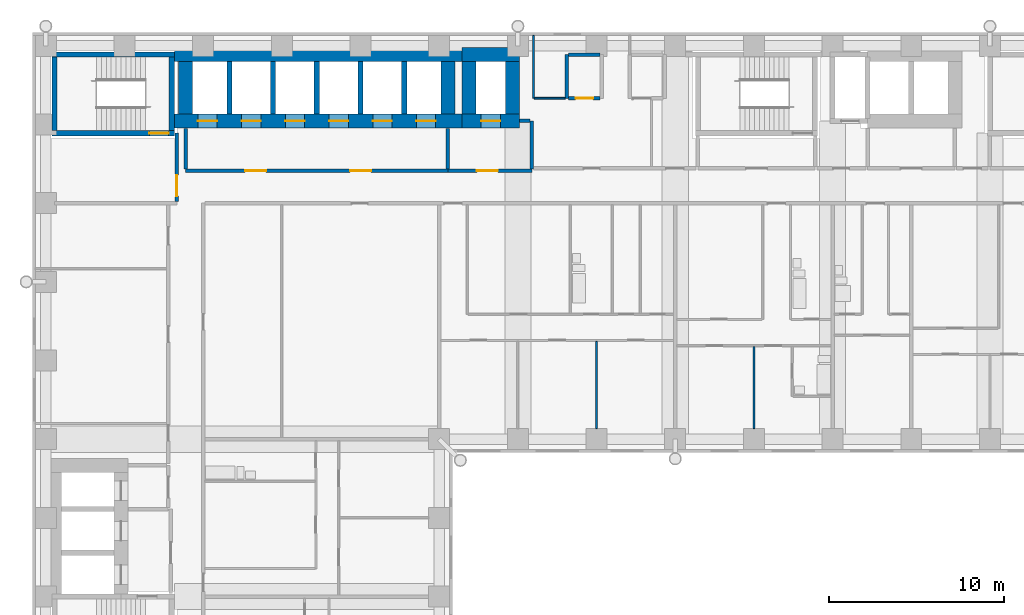
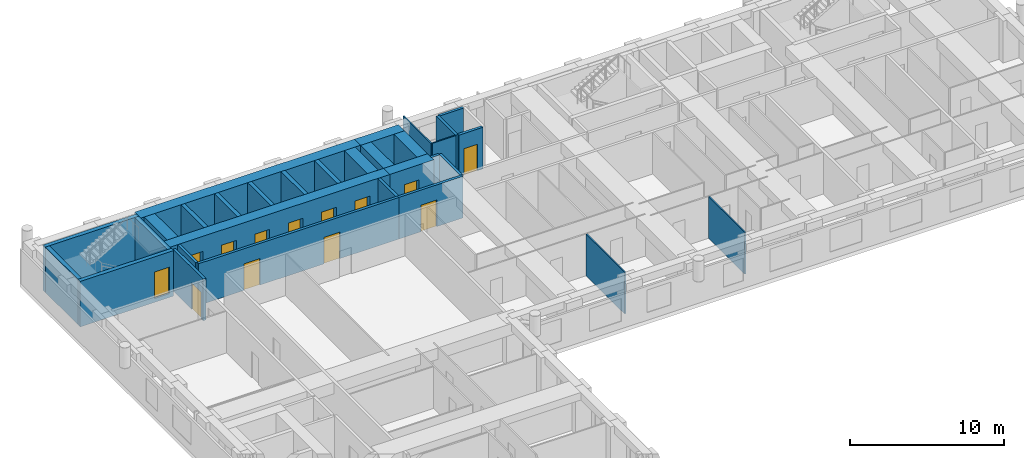
# One storey, part 7 of 14: 31 walls, 13 doors, 13 openings.
"""IFC4 building model written with IfcOpenShell, lengths in metres."""

from ifc_helpers import new_model, si_unit, direction, frame, frame_2d, origin, place, context, subcontext, project, spatial, rectangle, extrude, material, layer, layer_set, type_object, element, fill, save


model = new_model("IFC4")

# Units and contexts
model_context = context("Model", 3, precision=1e-05, world=origin(), true_north=direction((0.0, 1.0)))
body_context = subcontext(model_context, "Body", "Model", "MODEL_VIEW")
ifc_project = project(units=[si_unit("LENGTHUNIT", "METRE"), si_unit("AREAUNIT", "SQUARE_METRE"), si_unit("VOLUMEUNIT", "CUBIC_METRE"), si_unit("PLANEANGLEUNIT", "RADIAN"), si_unit("MASSUNIT", "GRAM", prefix="KILO")], contexts=[model_context])

# Site, building, storey
site_placement = place(None, origin())
site = spatial("IfcSite", under=ifc_project, at=site_placement, CompositionType="ELEMENT")
building_placement = place(site_placement, origin())
building = spatial("IfcBuilding", under=site, at=building_placement, Name="Firuza Court", CompositionType="ELEMENT")
storey_placement = place(building_placement, frame((0.0, 0.0, 68.60009765625)))
storey = spatial("IfcBuildingStorey", under=building, at=storey_placement, Name="L16", CompositionType="ELEMENT", Elevation=68.60009765625)

# Wall, opening, door
ifc_material_1 = material(Name="Concrete C60/75", Category="concrete")
ifc_layer_1 = layer(ifc_material_1, 0.300048828125)
ifc_layer_set_1 = layer_set([ifc_layer_1], Name="Concrete C60/75")
wall_type_1 = type_object("IfcWallType", Name="Core wall 300 C60/75", PredefinedType="SHEAR", material=ifc_layer_set_1)
wall_1_placement = place(storey_placement, frame((0.35009765625, 53.5, -0.300048828125), z_axis=(0.0, 0.0, 1.0), x_axis=(1.0, 0.0, 0.0)))
wall_1 = element("IfcWall", 1, at=wall_1_placement, inside=storey, type_object=wall_type_1, Name="Core wall stair L16", PredefinedType="SHEAR", context=body_context, shape_type="SweptSolid", body=[
    extrude(rectangle(XDim=7.0, YDim=0.300048828125, at=frame_2d((3.5, 0.0))), origin(), (0.0, 0.0, 1.0), 3.599853515625),
])
opening_1_placement = place(wall_1_placement, frame((5.580078125, 0.0, 0.300048828125)))
opening_1 = element("IfcOpeningElement", 2, at=opening_1_placement, cuts=wall_1, Name="Opening D16016", PredefinedType="OPENING", context=body_context, shape_type="SweptSolid", body=[
    extrude(rectangle(XDim=1.10009765625, YDim=2.10009765625, at=frame_2d((0.550048828125, 1.050048828125))), frame((0.0, 0.162109375, 0.0), z_axis=(0.0, -1.0, 0.0), x_axis=(1.0, 0.0, 0.0)), (0.0, 0.0, 1.0), 0.323974609375),
])
ifc_material_2 = material(Name="Timber door leaf in hardwood frame", Category="wood")
door_type_1 = type_object("IfcDoorType", Name="Stair door 1100", OperationType="SINGLE_SWING_LEFT", PredefinedType="DOOR", material=ifc_material_2)
door_1_placement = place(opening_1_placement, origin())
door_1 = element("IfcDoor", 3, at=door_1_placement, inside=storey, type_object=door_type_1, Name="Stair door S3", OperationType="SINGLE_SWING_RIGHT", OverallHeight=2.10009765625, OverallWidth=1.10009765625, PredefinedType="DOOR", context=body_context, shape_type="SweptSolid", body=[
    extrude(rectangle(XDim=1.10009765625, YDim=2.10009765625, at=frame_2d((0.550048828125, 1.050048828125))), frame((0.0, 0.02490234375, 0.0), z_axis=(0.0, -1.0, 0.0), x_axis=(1.0, 0.0, 0.0)), (0.0, 0.0, 1.0), 0.050048828125),
])
fill(opening_1, door_1)

# Walls
wall_2_placement = place(storey_placement, frame((0.35009765625, 58.0, -0.300048828125), z_axis=(0.0, 0.0, 1.0), x_axis=(1.0, 0.0, 0.0)))
element("IfcWall", 4, at=wall_2_placement, inside=storey, type_object=wall_type_1, Name="Core wall stair L16", PredefinedType="SHEAR", context=body_context, shape_type="SweptSolid", body=[
    extrude(rectangle(XDim=7.0, YDim=0.300048828125, at=frame_2d((3.5, 0.0))), origin(), (0.0, 0.0, 1.0), 3.599853515625),
])
for number, where, z_axis, x_axis, name in (
    (5, (0.5, 53.64990234375, -0.300048828125), (0.0, 0.0, 1.0), (0.0, 1.0, 0.0), "Core wall stair L16"),
    (6, (7.199951171875, 53.64990234375, -0.300048828125), (0.0, 0.0, 1.0), (0.0, 1.0, 0.0), "Core wall stair L16"),
):
    element("IfcWall", number, at=place(storey_placement, frame(where, z_axis=z_axis, x_axis=x_axis)), inside=storey, type_object=wall_type_1, Name=name, PredefinedType="SHEAR", context=body_context, shape_type="SweptSolid", body=[
        extrude(rectangle(XDim=4.2001953125, YDim=0.300048828125, at=frame_2d((2.10009765625, 0.0))), origin(), (0.0, 0.0, 1.0), 3.599853515625),
    ])
for number, where, z_axis, x_axis, name in (
    (7, (10.5, 54.60009765625, -0.300048828125), (0.0, 0.0, 1.0), (0.0, 1.0, 0.0), "Core wall lift shaft L16"),
    (8, (13.0, 54.60009765625, -0.300048828125), (0.0, 0.0, 1.0), (0.0, 1.0, 0.0), "Core wall lift shaft L16"),
    (9, (15.5, 54.60009765625, -0.300048828125), (0.0, 0.0, 1.0), (0.0, 1.0, 0.0), "Core wall lift shaft L16"),
    (10, (18.0, 54.60009765625, -0.300048828125), (0.0, 0.0, 1.0), (0.0, 1.0, 0.0), "Core wall lift shaft L16"),
    (11, (20.5, 54.60009765625, -0.300048828125), (0.0, 0.0, 1.0), (0.0, 1.0, 0.0), "Core wall lift shaft L16"),
):
    element("IfcWall", number, at=place(storey_placement, frame(where, z_axis=z_axis, x_axis=x_axis)), inside=storey, type_object=wall_type_1, Name=name, PredefinedType="SHEAR", context=body_context, shape_type="SweptSolid", body=[
        extrude(rectangle(XDim=3.0, YDim=0.300048828125, at=frame_2d((1.5, 0.0))), origin(), (0.0, 0.0, 1.0), 3.599853515625),
    ])

# Wall, openings, doors
ifc_layer_2 = layer(ifc_material_1, 0.800048828125)
ifc_layer_set_2 = layer_set([ifc_layer_2], Name="Concrete C60/75")
wall_type_2 = type_object("IfcWallType", Name="Core wall 800 C60/75", PredefinedType="SHEAR", material=ifc_layer_set_2)
wall_3_placement = place(storey_placement, frame((7.35009765625, 54.199951171875, -0.300048828125), z_axis=(0.0, 0.0, 1.0), x_axis=(1.0, 0.0, 0.0)))
wall_3 = element("IfcWall", 12, at=wall_3_placement, inside=storey, type_object=wall_type_2, Name="Core wall lift shaft L16", PredefinedType="SHEAR", context=body_context, shape_type="SweptSolid", body=[
    extrude(rectangle(XDim=16.449951171875, YDim=0.800048828125, at=frame_2d((8.22509765625, 0.0))), origin(), (0.0, 0.0, 1.0), 3.599853515625),
])
opening_2_placement = place(wall_3_placement, frame((1.35009765625, 0.0, 0.300048828125)))
opening_2 = element("IfcOpeningElement", 13, at=opening_2_placement, cuts=wall_3, Name="Opening LD-LB1-16", PredefinedType="OPENING", context=body_context, shape_type="SweptSolid", body=[
    extrude(rectangle(XDim=1.10009765625, YDim=2.10009765625, at=frame_2d((0.550048828125, 1.050048828125))), frame((0.0, 0.412109375, 0.0), z_axis=(0.0, -1.0, 0.0), x_axis=(1.0, 0.0, 0.0)), (0.0, 0.0, 1.0), 0.823974609375),
])
opening_3_placement = place(wall_3_placement, frame((3.85009765625, 0.0, 0.300048828125)))
opening_3 = element("IfcOpeningElement", 14, at=opening_3_placement, cuts=wall_3, Name="Opening LD-LB2-16", PredefinedType="OPENING", context=body_context, shape_type="SweptSolid", body=[
    extrude(rectangle(XDim=1.10009765625, YDim=2.10009765625, at=frame_2d((0.550048828125, 1.050048828125))), frame((0.0, 0.412109375, 0.0), z_axis=(0.0, -1.0, 0.0), x_axis=(1.0, 0.0, 0.0)), (0.0, 0.0, 1.0), 0.823974609375),
])
opening_4_placement = place(wall_3_placement, frame((6.35009765625, 0.0, 0.300048828125)))
opening_4 = element("IfcOpeningElement", 15, at=opening_4_placement, cuts=wall_3, Name="Opening LD-LB3-16", PredefinedType="OPENING", context=body_context, shape_type="SweptSolid", body=[
    extrude(rectangle(XDim=1.10009765625, YDim=2.10009765625, at=frame_2d((0.550048828125, 1.050048828125))), frame((0.0, 0.412109375, 0.0), z_axis=(0.0, -1.0, 0.0), x_axis=(1.0, 0.0, 0.0)), (0.0, 0.0, 1.0), 0.823974609375),
])
opening_5_placement = place(wall_3_placement, frame((8.85009765625, 0.0, 0.300048828125)))
opening_5 = element("IfcOpeningElement", 16, at=opening_5_placement, cuts=wall_3, Name="Opening LD-LB4-16", PredefinedType="OPENING", context=body_context, shape_type="SweptSolid", body=[
    extrude(rectangle(XDim=1.10009765625, YDim=2.10009765625, at=frame_2d((0.550048828125, 1.050048828125))), frame((0.0, 0.412109375, 0.0), z_axis=(0.0, -1.0, 0.0), x_axis=(1.0, 0.0, 0.0)), (0.0, 0.0, 1.0), 0.823974609375),
])
opening_6_placement = place(wall_3_placement, frame((11.35009765625, 0.0, 0.300048828125)))
opening_6 = element("IfcOpeningElement", 17, at=opening_6_placement, cuts=wall_3, Name="Opening LD-LB5-16", PredefinedType="OPENING", context=body_context, shape_type="SweptSolid", body=[
    extrude(rectangle(XDim=1.10009765625, YDim=2.10009765625, at=frame_2d((0.550048828125, 1.050048828125))), frame((0.0, 0.412109375, 0.0), z_axis=(0.0, -1.0, 0.0), x_axis=(1.0, 0.0, 0.0)), (0.0, 0.0, 1.0), 0.823974609375),
])
opening_7_placement = place(wall_3_placement, frame((13.85009765625, 0.0, 0.300048828125)))
opening_7 = element("IfcOpeningElement", 18, at=opening_7_placement, cuts=wall_3, Name="Opening LD-LB6-16", PredefinedType="OPENING", context=body_context, shape_type="SweptSolid", body=[
    extrude(rectangle(XDim=1.10009765625, YDim=2.10009765625, at=frame_2d((0.550048828125, 1.050048828125))), frame((0.0, 0.412109375, 0.0), z_axis=(0.0, -1.0, 0.0), x_axis=(1.0, 0.0, 0.0)), (0.0, 0.0, 1.0), 0.823974609375),
])
ifc_material_3 = material(Name="Stainless steel 1.4301 door leaf", Category="steel")
door_type_2 = type_object("IfcDoorType", Name="Lift landing door 1100", OperationType="SLIDING_TO_LEFT", PredefinedType="DOOR", material=ifc_material_3)
door_2_placement = place(opening_2_placement, origin())
door_2 = element("IfcDoor", 19, at=door_2_placement, inside=storey, type_object=door_type_2, Name="Landing door LB1", OperationType="SLIDING_TO_LEFT", OverallHeight=2.10009765625, OverallWidth=1.10009765625, PredefinedType="DOOR", context=body_context, shape_type="SweptSolid", body=[
    extrude(rectangle(XDim=1.10009765625, YDim=2.10009765625, at=frame_2d((0.550048828125, 1.050048828125))), frame((0.0, 0.02490234375, 0.0), z_axis=(0.0, -1.0, 0.0), x_axis=(1.0, 0.0, 0.0)), (0.0, 0.0, 1.0), 0.050048828125),
])
fill(opening_2, door_2)
door_3_placement = place(opening_3_placement, origin())
door_3 = element("IfcDoor", 20, at=door_3_placement, inside=storey, type_object=door_type_2, Name="Landing door LB2", OperationType="SLIDING_TO_LEFT", OverallHeight=2.10009765625, OverallWidth=1.10009765625, PredefinedType="DOOR", context=body_context, shape_type="SweptSolid", body=[
    extrude(rectangle(XDim=1.10009765625, YDim=2.10009765625, at=frame_2d((0.550048828125, 1.050048828125))), frame((0.0, 0.02490234375, 0.0), z_axis=(0.0, -1.0, 0.0), x_axis=(1.0, 0.0, 0.0)), (0.0, 0.0, 1.0), 0.050048828125),
])
fill(opening_3, door_3)
door_4_placement = place(opening_4_placement, origin())
door_4 = element("IfcDoor", 21, at=door_4_placement, inside=storey, type_object=door_type_2, Name="Landing door LB3", OperationType="SLIDING_TO_LEFT", OverallHeight=2.10009765625, OverallWidth=1.10009765625, PredefinedType="DOOR", context=body_context, shape_type="SweptSolid", body=[
    extrude(rectangle(XDim=1.10009765625, YDim=2.10009765625, at=frame_2d((0.550048828125, 1.050048828125))), frame((0.0, 0.02490234375, 0.0), z_axis=(0.0, -1.0, 0.0), x_axis=(1.0, 0.0, 0.0)), (0.0, 0.0, 1.0), 0.050048828125),
])
fill(opening_4, door_4)
door_5_placement = place(opening_5_placement, origin())
door_5 = element("IfcDoor", 22, at=door_5_placement, inside=storey, type_object=door_type_2, Name="Landing door LB4", OperationType="SLIDING_TO_LEFT", OverallHeight=2.10009765625, OverallWidth=1.10009765625, PredefinedType="DOOR", context=body_context, shape_type="SweptSolid", body=[
    extrude(rectangle(XDim=1.10009765625, YDim=2.10009765625, at=frame_2d((0.550048828125, 1.050048828125))), frame((0.0, 0.02490234375, 0.0), z_axis=(0.0, -1.0, 0.0), x_axis=(1.0, 0.0, 0.0)), (0.0, 0.0, 1.0), 0.050048828125),
])
fill(opening_5, door_5)
door_6_placement = place(opening_6_placement, origin())
door_6 = element("IfcDoor", 23, at=door_6_placement, inside=storey, type_object=door_type_2, Name="Landing door LB5", OperationType="SLIDING_TO_LEFT", OverallHeight=2.10009765625, OverallWidth=1.10009765625, PredefinedType="DOOR", context=body_context, shape_type="SweptSolid", body=[
    extrude(rectangle(XDim=1.10009765625, YDim=2.10009765625, at=frame_2d((0.550048828125, 1.050048828125))), frame((0.0, 0.02490234375, 0.0), z_axis=(0.0, -1.0, 0.0), x_axis=(1.0, 0.0, 0.0)), (0.0, 0.0, 1.0), 0.050048828125),
])
fill(opening_6, door_6)
door_7_placement = place(opening_7_placement, origin())
door_7 = element("IfcDoor", 24, at=door_7_placement, inside=storey, type_object=door_type_2, Name="Landing door LB6", OperationType="SLIDING_TO_LEFT", OverallHeight=2.10009765625, OverallWidth=1.10009765625, PredefinedType="DOOR", context=body_context, shape_type="SweptSolid", body=[
    extrude(rectangle(XDim=1.10009765625, YDim=2.10009765625, at=frame_2d((0.550048828125, 1.050048828125))), frame((0.0, 0.02490234375, 0.0), z_axis=(0.0, -1.0, 0.0), x_axis=(1.0, 0.0, 0.0)), (0.0, 0.0, 1.0), 0.050048828125),
])
fill(opening_7, door_7)

# Walls
wall_4_placement = place(storey_placement, frame((7.35009765625, 58.0, -0.300048828125), z_axis=(0.0, 0.0, 1.0), x_axis=(1.0, 0.0, 0.0)))
element("IfcWall", 25, at=wall_4_placement, inside=storey, type_object=wall_type_2, Name="Core wall lift shaft L16", PredefinedType="SHEAR", context=body_context, shape_type="SweptSolid", body=[
    extrude(rectangle(XDim=16.449951171875, YDim=0.800048828125, at=frame_2d((8.22509765625, 0.0))), origin(), (0.0, 0.0, 1.0), 3.599853515625),
])
for number, where, z_axis, x_axis, name in (
    (26, (8.0, 54.60009765625, -0.300048828125), (0.0, 0.0, 1.0), (0.0, 1.0, 0.0), "Core wall lift shaft L16"),
    (27, (23.0, 54.60009765625, -0.300048828125), (0.0, 0.0, 1.0), (0.0, 1.0, 0.0), "Core wall lift shaft L16"),
):
    element("IfcWall", number, at=place(storey_placement, frame(where, z_axis=z_axis, x_axis=x_axis)), inside=storey, type_object=wall_type_2, Name=name, PredefinedType="SHEAR", context=body_context, shape_type="SweptSolid", body=[
        extrude(rectangle(XDim=3.0, YDim=0.800048828125, at=frame_2d((1.5, 0.0))), origin(), (0.0, 0.0, 1.0), 3.599853515625),
    ])

# Wall, opening, door
wall_5_placement = place(storey_placement, frame((23.800048828125, 54.199951171875, -0.300048828125), z_axis=(0.0, 0.0, 1.0), x_axis=(1.0, 0.0, 0.0)))
wall_5 = element("IfcWall", 28, at=wall_5_placement, inside=storey, type_object=wall_type_2, Name="Core wall lift shaft L16", PredefinedType="SHEAR", context=body_context, shape_type="SweptSolid", body=[
    extrude(rectangle(XDim=3.300048828125, YDim=0.800048828125, at=frame_2d((1.64990234375, 0.0))), origin(), (0.0, 0.0, 1.0), 3.599853515625),
])
opening_8_placement = place(wall_5_placement, frame((1.10009765625, 0.0, 0.300048828125)))
opening_8 = element("IfcOpeningElement", 29, at=opening_8_placement, cuts=wall_5, Name="Opening LD-FL3-16", PredefinedType="OPENING", context=body_context, shape_type="SweptSolid", body=[
    extrude(rectangle(XDim=1.10009765625, YDim=2.10009765625, at=frame_2d((0.550048828125, 1.050048828125))), frame((0.0, 0.412109375, 0.0), z_axis=(0.0, -1.0, 0.0), x_axis=(1.0, 0.0, 0.0)), (0.0, 0.0, 1.0), 0.823974609375),
])
door_8_placement = place(opening_8_placement, origin())
door_8 = element("IfcDoor", 30, at=door_8_placement, inside=storey, type_object=door_type_2, Name="Landing door FL3", OperationType="SLIDING_TO_LEFT", OverallHeight=2.10009765625, OverallWidth=1.10009765625, PredefinedType="DOOR", context=body_context, shape_type="SweptSolid", body=[
    extrude(rectangle(XDim=1.10009765625, YDim=2.10009765625, at=frame_2d((0.550048828125, 1.050048828125))), frame((0.0, 0.02490234375, 0.0), z_axis=(0.0, -1.0, 0.0), x_axis=(1.0, 0.0, 0.0)), (0.0, 0.0, 1.0), 0.050048828125),
])
fill(opening_8, door_8)

# Walls
wall_6_placement = place(storey_placement, frame((23.800048828125, 58.0, -0.300048828125), z_axis=(0.0, 0.0, 1.0), x_axis=(1.0, 0.0, 0.0)))
element("IfcWall", 31, at=wall_6_placement, inside=storey, type_object=wall_type_2, Name="Core wall lift shaft L16", PredefinedType="SHEAR", context=body_context, shape_type="SweptSolid", body=[
    extrude(rectangle(XDim=3.300048828125, YDim=0.800048828125, at=frame_2d((1.64990234375, 0.0))), origin(), (0.0, 0.0, 1.0), 3.599853515625),
])
for number, where, z_axis, x_axis, name in (
    (32, (24.199951171875, 54.60009765625, -0.300048828125), (0.0, 0.0, 1.0), (0.0, 1.0, 0.0), "Core wall lift shaft L16"),
    (33, (26.699951171875, 54.60009765625, -0.300048828125), (0.0, 0.0, 1.0), (0.0, 1.0, 0.0), "Core wall lift shaft L16"),
):
    element("IfcWall", number, at=place(storey_placement, frame(where, z_axis=z_axis, x_axis=x_axis)), inside=storey, type_object=wall_type_2, Name=name, PredefinedType="SHEAR", context=body_context, shape_type="SweptSolid", body=[
        extrude(rectangle(XDim=3.0, YDim=0.800048828125, at=frame_2d((1.5, 0.0))), origin(), (0.0, 0.0, 1.0), 3.599853515625),
    ])
ifc_material_4 = material(Name="Timber stud partition, plasterboard both sides", Category="wood")
ifc_layer_3 = layer(ifc_material_4, 0.10009765625)
ifc_layer_set_3 = layer_set([ifc_layer_3], Name="Timber stud partition, plasterboard both sides")
wall_type_3 = type_object("IfcWallType", Name="Partition wall 100", PredefinedType="PARTITIONING", material=ifc_layer_set_3)
wall_7_placement = place(storey_placement, frame((31.5, 36.60009765625, 0.0), z_axis=(0.0, 0.0, 1.0), x_axis=(0.0, 1.0, 0.0)))
element("IfcWall", 34, at=wall_7_placement, inside=storey, type_object=wall_type_3, Name="Partition wall 100 L16", PredefinedType="PARTITIONING", context=body_context, shape_type="SweptSolid", body=[
    extrude(rectangle(XDim=5.0, YDim=0.10009765625, at=frame_2d((2.5, 0.0))), origin(), (0.0, 0.0, 1.0), 3.2998046875),
])
wall_8_placement = place(storey_placement, frame((40.5, 36.60009765625, 0.0), z_axis=(0.0, 0.0, 1.0), x_axis=(0.0, 1.0, 0.0)))
element("IfcWall", 35, at=wall_8_placement, inside=storey, type_object=wall_type_3, Name="Partition wall 100 L16", PredefinedType="PARTITIONING", context=body_context, shape_type="SweptSolid", body=[
    extrude(rectangle(XDim=4.699951171875, YDim=0.10009765625, at=frame_2d((2.35009765625, 0.0))), origin(), (0.0, 0.0, 1.0), 3.2998046875),
])
wall_9_placement = place(storey_placement, frame((27.89990234375, 55.5, 0.0), z_axis=(0.0, 0.0, 1.0), x_axis=(0.0, 1.0, 0.0)))
element("IfcWall", 36, at=wall_9_placement, inside=storey, type_object=wall_type_3, Name="Partition wall 100 L16", PredefinedType="PARTITIONING", context=body_context, shape_type="SweptSolid", body=[
    extrude(rectangle(XDim=3.60009765625, YDim=0.10009765625, at=frame_2d((1.800048828125, 0.0))), origin(), (0.0, 0.0, 1.0), 3.2998046875),
])
wall_10_placement = place(storey_placement, frame((27.949951171875, 55.5, 0.0), z_axis=(0.0, 0.0, 1.0), x_axis=(1.0, 0.0, 0.0)))
element("IfcWall", 37, at=wall_10_placement, inside=storey, type_object=wall_type_3, Name="Partition wall 100 L16", PredefinedType="PARTITIONING", context=body_context, shape_type="SweptSolid", body=[
    extrude(rectangle(XDim=1.75, YDim=0.10009765625, at=frame_2d((0.875, 0.0))), origin(), (0.0, 0.0, 1.0), 3.2998046875),
])
ifc_material_5 = material(Name="Blockwork, fire-rated", Category="masonry")
ifc_layer_4 = layer(ifc_material_5, 0.199951171875)
ifc_layer_set_4 = layer_set([ifc_layer_4], Name="Blockwork, fire-rated")
wall_type_4 = type_object("IfcWallType", Name="Plant room wall 200", PredefinedType="PARTITIONING", material=ifc_layer_set_4)
wall_11_placement = place(storey_placement, frame((29.800048828125, 55.5, 0.0), z_axis=(0.0, 0.0, 1.0), x_axis=(0.0, 1.0, 0.0)))
element("IfcWall", 38, at=wall_11_placement, inside=storey, type_object=wall_type_4, Name="Plant room wall 200 L16", PredefinedType="PARTITIONING", context=body_context, shape_type="SweptSolid", body=[
    extrude(rectangle(XDim=2.5, YDim=0.199951171875, at=frame_2d((1.25, 0.0))), origin(), (0.0, 0.0, 1.0), 3.2998046875),
])

# Wall, opening, door
wall_12_placement = place(storey_placement, frame((29.89990234375, 55.5, 0.0), z_axis=(0.0, 0.0, 1.0), x_axis=(1.0, 0.0, 0.0)))
wall_12 = element("IfcWall", 39, at=wall_12_placement, inside=storey, type_object=wall_type_4, Name="Plant room wall 200 L16", PredefinedType="PARTITIONING", context=body_context, shape_type="SweptSolid", body=[
    extrude(rectangle(XDim=1.800048828125, YDim=0.199951171875, at=frame_2d((0.89990234375, 0.0))), origin(), (0.0, 0.0, 1.0), 3.2998046875),
])
opening_9_placement = place(wall_12_placement, frame((0.39990234375, 0.0, 0.0)))
opening_9 = element("IfcOpeningElement", 40, at=opening_9_placement, cuts=wall_12, Name="Opening D16080", PredefinedType="OPENING", context=body_context, shape_type="SweptSolid", body=[
    extrude(rectangle(XDim=1.0, YDim=2.10009765625, at=frame_2d((0.5, 1.050048828125))), frame((0.0, 0.11181640625, 0.0), z_axis=(0.0, -1.0, 0.0), x_axis=(1.0, 0.0, 0.0)), (0.0, 0.0, 1.0), 0.223876953125),
])
ifc_material_6 = material(Name="Timber door leaf in hardwood frame", Category="wood")
door_type_3 = type_object("IfcDoorType", Name="Riser door 1000", OperationType="SINGLE_SWING_LEFT", PredefinedType="DOOR", material=ifc_material_6)
door_9_placement = place(opening_9_placement, origin())
door_9 = element("IfcDoor", 41, at=door_9_placement, inside=storey, type_object=door_type_3, Name="Electrical riser door", OperationType="SINGLE_SWING_LEFT", OverallHeight=2.10009765625, OverallWidth=1.0, PredefinedType="DOOR", context=body_context, shape_type="SweptSolid", body=[
    extrude(rectangle(XDim=1.0, YDim=2.10009765625, at=frame_2d((0.5, 1.050048828125))), frame((0.0, 0.02490234375, 0.0), z_axis=(0.0, -1.0, 0.0), x_axis=(1.0, 0.0, 0.0)), (0.0, 0.0, 1.0), 0.050048828125),
])
fill(opening_9, door_9)

# Wall
wall_13_placement = place(storey_placement, frame((29.89990234375, 58.0, 0.0), z_axis=(0.0, 0.0, 1.0), x_axis=(1.0, 0.0, 0.0)))
element("IfcWall", 42, at=wall_13_placement, inside=storey, type_object=wall_type_4, Name="Plant room wall 200 L16", PredefinedType="PARTITIONING", context=body_context, shape_type="SweptSolid", body=[
    extrude(rectangle(XDim=1.800048828125, YDim=0.199951171875, at=frame_2d((0.89990234375, 0.0))), origin(), (0.0, 0.0, 1.0), 3.2998046875),
])

# Wall, openings, doors
ifc_layer_5 = layer(ifc_material_5, 0.199951171875)
ifc_layer_set_5 = layer_set([ifc_layer_5], Name="Blockwork, fire-rated")
wall_type_5 = type_object("IfcWallType", Name="Shaft wall 200", PredefinedType="PARTITIONING", material=ifc_layer_set_5)
wall_14_placement = place(storey_placement, frame((8.0, 51.35009765625, 0.0), z_axis=(0.0, 0.0, 1.0), x_axis=(1.0, 0.0, 0.0)))
wall_14 = element("IfcWall", 43, at=wall_14_placement, inside=storey, type_object=wall_type_5, Name="Shaft wall 200 L16", PredefinedType="PARTITIONING", context=body_context, shape_type="SweptSolid", body=[
    extrude(rectangle(XDim=15.0, YDim=0.199951171875, at=frame_2d((7.5, 0.0))), origin(), (0.0, 0.0, 1.0), 3.2998046875),
])
opening_10_placement = place(wall_14_placement, frame((3.39990234375, 0.0, 0.0)))
opening_10 = element("IfcOpeningElement", 44, at=opening_10_placement, cuts=wall_14, Name="Opening D16004", PredefinedType="OPENING", context=body_context, shape_type="SweptSolid", body=[
    extrude(rectangle(XDim=1.199951171875, YDim=2.10009765625, at=frame_2d((0.60009765625, 1.050048828125))), frame((0.0, 0.11181640625, 0.0), z_axis=(0.0, -1.0, 0.0), x_axis=(1.0, 0.0, 0.0)), (0.0, 0.0, 1.0), 0.223876953125),
])
opening_11_placement = place(wall_14_placement, frame((9.39990234375, 0.0, 0.0)))
opening_11 = element("IfcOpeningElement", 45, at=opening_11_placement, cuts=wall_14, Name="Opening D16005", PredefinedType="OPENING", context=body_context, shape_type="SweptSolid", body=[
    extrude(rectangle(XDim=1.199951171875, YDim=2.10009765625, at=frame_2d((0.60009765625, 1.050048828125))), frame((0.0, 0.11181640625, 0.0), z_axis=(0.0, -1.0, 0.0), x_axis=(1.0, 0.0, 0.0)), (0.0, 0.0, 1.0), 0.223876953125),
])
ifc_material_7 = material(Name="Timber door leaf in hardwood frame", Category="wood")
door_type_4 = type_object("IfcDoorType", Name="Lobby door 1200", OperationType="SINGLE_SWING_LEFT", PredefinedType="DOOR", material=ifc_material_7)
door_10_placement = place(opening_10_placement, origin())
door_10 = element("IfcDoor", 46, at=door_10_placement, inside=storey, type_object=door_type_4, Name="Lobby door", OperationType="SINGLE_SWING_LEFT", OverallHeight=2.10009765625, OverallWidth=1.199951171875, PredefinedType="DOOR", context=body_context, shape_type="SweptSolid", body=[
    extrude(rectangle(XDim=1.199951171875, YDim=2.10009765625, at=frame_2d((0.60009765625, 1.050048828125))), frame((0.0, 0.02490234375, 0.0), z_axis=(0.0, -1.0, 0.0), x_axis=(1.0, 0.0, 0.0)), (0.0, 0.0, 1.0), 0.050048828125),
])
fill(opening_10, door_10)
door_11_placement = place(opening_11_placement, origin())
door_11 = element("IfcDoor", 47, at=door_11_placement, inside=storey, type_object=door_type_4, Name="Lobby door", OperationType="SINGLE_SWING_RIGHT", OverallHeight=2.10009765625, OverallWidth=1.199951171875, PredefinedType="DOOR", context=body_context, shape_type="SweptSolid", body=[
    extrude(rectangle(XDim=1.199951171875, YDim=2.10009765625, at=frame_2d((0.60009765625, 1.050048828125))), frame((0.0, 0.02490234375, 0.0), z_axis=(0.0, -1.0, 0.0), x_axis=(1.0, 0.0, 0.0)), (0.0, 0.0, 1.0), 0.050048828125),
])
fill(opening_11, door_11)

# Walls
for number, where, z_axis, x_axis, name in (
    (48, (23.0, 51.449951171875, 0.0), (0.0, 0.0, 1.0), (0.0, 1.0, 0.0), "Shaft wall 200 L16"),
    (49, (8.0, 51.449951171875, 0.0), (0.0, 0.0, 1.0), (0.0, 1.0, 0.0), "Shaft wall 200 L16"),
):
    element("IfcWall", number, at=place(storey_placement, frame(where, z_axis=z_axis, x_axis=x_axis)), inside=storey, type_object=wall_type_5, Name=name, PredefinedType="PARTITIONING", context=body_context, shape_type="SweptSolid", body=[
        extrude(rectangle(XDim=2.330078125, YDim=0.199951171875, at=frame_2d((1.1650390625, 0.0))), origin(), (0.0, 0.0, 1.0), 3.2998046875),
    ])

# Wall, opening, door
wall_15_placement = place(storey_placement, frame((23.0, 51.35009765625, 0.0), z_axis=(0.0, 0.0, 1.0), x_axis=(1.0, 0.0, 0.0)))
wall_15 = element("IfcWall", 50, at=wall_15_placement, inside=storey, type_object=wall_type_5, Name="Shaft wall 200 L16", PredefinedType="PARTITIONING", context=body_context, shape_type="SweptSolid", body=[
    extrude(rectangle(XDim=4.800048828125, YDim=0.199951171875, at=frame_2d((2.39990234375, 0.0))), origin(), (0.0, 0.0, 1.0), 3.2998046875),
])
opening_12_placement = place(wall_15_placement, frame((1.64990234375, 0.0, 0.0)))
opening_12 = element("IfcOpeningElement", 51, at=opening_12_placement, cuts=wall_15, Name="Opening D16003", PredefinedType="OPENING", context=body_context, shape_type="SweptSolid", body=[
    extrude(rectangle(XDim=1.199951171875, YDim=2.10009765625, at=frame_2d((0.60009765625, 1.050048828125))), frame((0.0, 0.11181640625, 0.0), z_axis=(0.0, -1.0, 0.0), x_axis=(1.0, 0.0, 0.0)), (0.0, 0.0, 1.0), 0.223876953125),
])
door_12_placement = place(opening_12_placement, origin())
door_12 = element("IfcDoor", 52, at=door_12_placement, inside=storey, type_object=door_type_4, Name="Fire-fighting lobby door", OperationType="SINGLE_SWING_LEFT", OverallHeight=2.10009765625, OverallWidth=1.199951171875, PredefinedType="DOOR", context=body_context, shape_type="SweptSolid", body=[
    extrude(rectangle(XDim=1.199951171875, YDim=2.10009765625, at=frame_2d((0.60009765625, 1.050048828125))), frame((0.0, 0.02490234375, 0.0), z_axis=(0.0, -1.0, 0.0), x_axis=(1.0, 0.0, 0.0)), (0.0, 0.0, 1.0), 0.050048828125),
])
fill(opening_12, door_12)

# Walls
wall_16_placement = place(storey_placement, frame((27.800048828125, 51.449951171875, 0.0), z_axis=(0.0, 0.0, 1.0), x_axis=(0.0, 1.0, 0.0)))
element("IfcWall", 53, at=wall_16_placement, inside=storey, type_object=wall_type_5, Name="Shaft wall 200 L16", PredefinedType="PARTITIONING", context=body_context, shape_type="SweptSolid", body=[
    extrude(rectangle(XDim=2.75, YDim=0.199951171875, at=frame_2d((1.375, 0.0))), origin(), (0.0, 0.0, 1.0), 3.2998046875),
])
wall_17_placement = place(storey_placement, frame((27.10009765625, 54.199951171875, 0.0), z_axis=(0.0, 0.0, 1.0), x_axis=(1.0, 0.0, 0.0)))
element("IfcWall", 54, at=wall_17_placement, inside=storey, type_object=wall_type_5, Name="Shaft wall 200 L16", PredefinedType="PARTITIONING", context=body_context, shape_type="SweptSolid", body=[
    extrude(rectangle(XDim=0.599853515625, YDim=0.199951171875, at=frame_2d((0.2998046875, 0.0))), origin(), (0.0, 0.0, 1.0), 3.2998046875),
])

# Wall, opening, door
wall_18_placement = place(storey_placement, frame((7.5, 49.60009765625, 0.0), z_axis=(0.0, 0.0, 1.0), x_axis=(0.0, 1.0, 0.0)))
wall_18 = element("IfcWall", 55, at=wall_18_placement, inside=storey, type_object=wall_type_5, Name="Shaft wall 200 L16", PredefinedType="PARTITIONING", context=body_context, shape_type="SweptSolid", body=[
    extrude(rectangle(XDim=3.89990234375, YDim=0.199951171875, at=frame_2d((1.949951171875, 0.0))), origin(), (0.0, 0.0, 1.0), 3.2998046875),
])
opening_13_placement = place(wall_18_placement, frame((0.300048828125, 0.0, 0.0)))
opening_13 = element("IfcOpeningElement", 56, at=opening_13_placement, cuts=wall_18, Name="Opening D16001", PredefinedType="OPENING", context=body_context, shape_type="SweptSolid", body=[
    extrude(rectangle(XDim=1.199951171875, YDim=2.10009765625, at=frame_2d((0.60009765625, 1.050048828125))), frame((0.0, 0.11181640625, 0.0), z_axis=(0.0, -1.0, 0.0), x_axis=(1.0, 0.0, 0.0)), (0.0, 0.0, 1.0), 0.223876953125),
])
door_13_placement = place(opening_13_placement, origin())
door_13 = element("IfcDoor", 57, at=door_13_placement, inside=storey, type_object=door_type_4, Name="Lobby door", OperationType="SINGLE_SWING_LEFT", OverallHeight=2.10009765625, OverallWidth=1.199951171875, PredefinedType="DOOR", context=body_context, shape_type="SweptSolid", body=[
    extrude(rectangle(XDim=1.199951171875, YDim=2.10009765625, at=frame_2d((0.60009765625, 1.050048828125))), frame((0.0, 0.02490234375, 0.0), z_axis=(0.0, -1.0, 0.0), x_axis=(1.0, 0.0, 0.0)), (0.0, 0.0, 1.0), 0.050048828125),
])
fill(opening_13, door_13)

save(model, "model.ifc")
